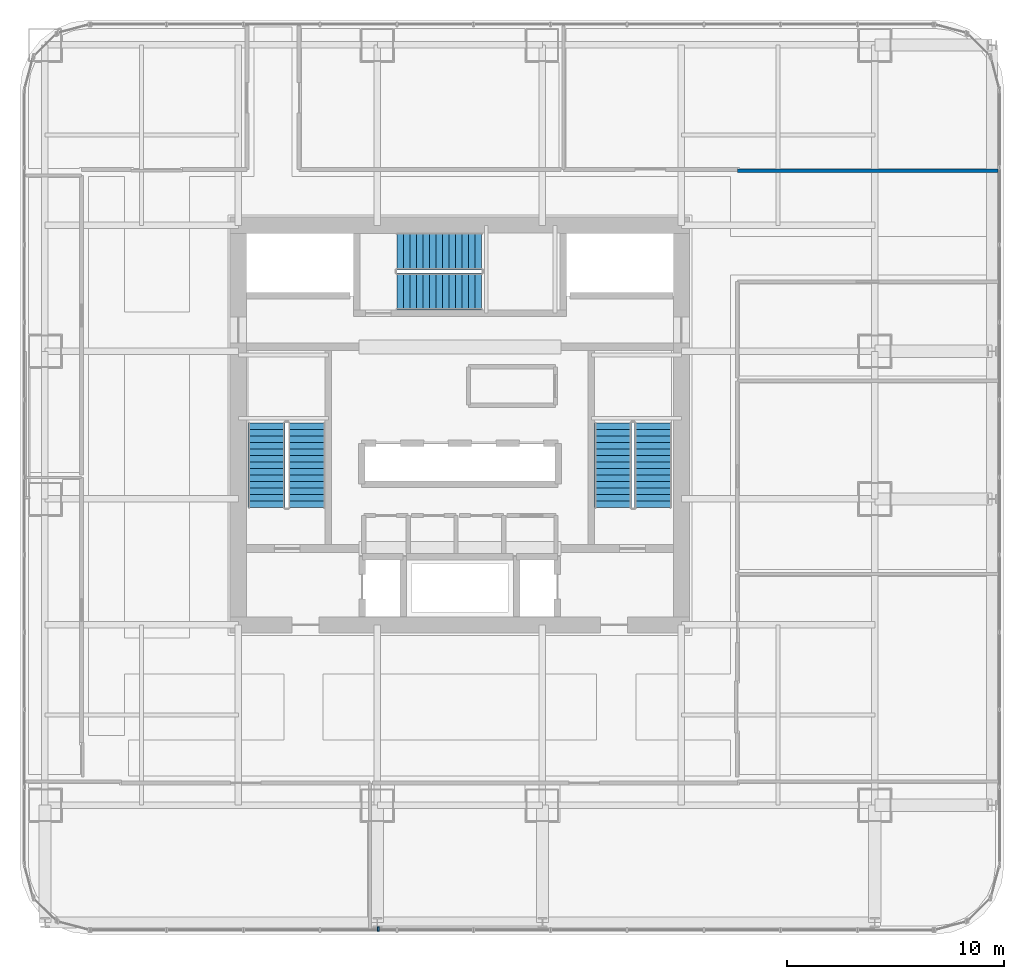
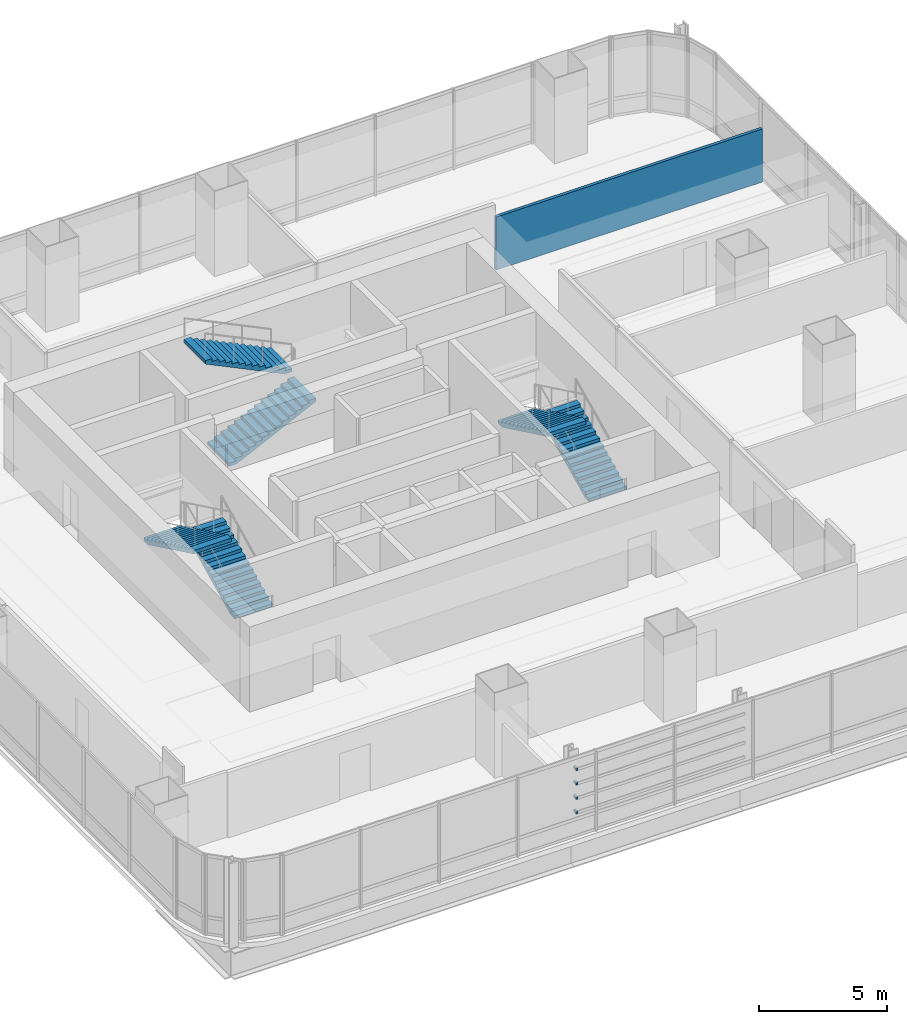
# One storey, part 29 of 35: 6 stair flights, 4 discrete accessories, 1 wall, 3 elements without a shape of their own.
"""IFC4 building model written with IfcOpenShell, lengths in metres."""

from ifc_helpers import new_model, si_unit, direction, frame, frame_2d, origin, origin_2d, place, context, subcontext, project, spatial, polyline, rectangle, outline, extrude, material, layer, layer_set, type_object, element, aggregate, save


model = new_model("IFC4")

# Units and contexts
model_context = context("Model", 3, precision=1e-05, world=origin(), true_north=direction((0.0, 1.0)))
body_context = subcontext(model_context, "Body", "Model", "MODEL_VIEW")
ifc_project = project(units=[si_unit("LENGTHUNIT", "METRE"), si_unit("AREAUNIT", "SQUARE_METRE"), si_unit("VOLUMEUNIT", "CUBIC_METRE"), si_unit("PLANEANGLEUNIT", "RADIAN"), si_unit("MASSUNIT", "GRAM", prefix="KILO")], contexts=[model_context])

# Site, building, storey
site_placement = place(None, origin())
site = spatial("IfcSite", under=ifc_project, at=site_placement, CompositionType="ELEMENT")
building_placement = place(site_placement, origin())
building = spatial("IfcBuilding", under=site, at=building_placement, Name="Punatoya Terracotta Tower", CompositionType="ELEMENT")
storey_placement = place(building_placement, frame((0.0, 0.0, 72.75)))
storey = spatial("IfcBuildingStorey", under=building, at=storey_placement, Name="L16", CompositionType="ELEMENT", Elevation=72.75)

# Wall
ifc_material_1 = material(Name="Acoustic Gypsum + Steel Stud", Category="steel")
ifc_layer = layer(ifc_material_1, 0.139892578125)
ifc_layer_set = layer_set([ifc_layer], Name="Acoustic Gypsum + Steel Stud")
wall_type = type_object("IfcWallType", Name="WL-OFF-140", PredefinedType="PARTITIONING", material=ifc_layer_set)
wall_placement = place(storey_placement, frame((24.77001953125, 11.7099609375, 0.0), z_axis=(0.0, 0.0, 1.0), x_axis=(-1.0, 0.0, 0.0)))
element("IfcWall", 1, at=wall_placement, inside=storey, type_object=wall_type, Name="L16 Open-Plan Symposium Colloquium Room Partition 37", PredefinedType="PARTITIONING", context=body_context, shape_type="SweptSolid", body=[
    extrude(rectangle(XDim=12.0, YDim=0.139892578125, at=frame_2d((6.0, 0.0))), origin(), (0.0, 0.0, 1.0), 2.52392578125),
])

# Stair, stair flights
ifc_material_2 = material(Name="Concrete C40/50", Category="concrete")
stair_type_1 = type_object("IfcStairType", Name="STR-CORE-1550", PredefinedType="HALF_TURN_STAIR", material=ifc_material_2)
stair_1_placement = place(storey_placement, origin())
stair_1 = element("IfcStair", 2, at=stair_1_placement, inside=storey, type_object=stair_type_1, Name="L16 Protected Core Exit Stair ST-1", PredefinedType="HALF_TURN_STAIR")
stair_flight_type_1 = type_object("IfcStairFlightType", Name="SFL-CORE-1550", PredefinedType="STRAIGHT", material=ifc_material_2)
stair_flight_1_placement = place(storey_placement, frame((-7.050048828125, -3.800048828125, 0.0), z_axis=(0.0, 0.0, 1.0), x_axis=(0.0, 1.0, 0.0)))
stair_flight_1 = element("IfcStairFlight", 3, at=stair_flight_1_placement, type_object=stair_flight_type_1, Name="ST-1 flight 1", NumberOfRisers=14, NumberOfTreads=13, PredefinedType="STRAIGHT", RiserHeight=0.144642857, TreadLength=0.3, context=body_context, shape_type="SweptSolid", body=[
    extrude(outline(polyline([(0.0, 0.0), (0.0, 0.14453125), (0.300048828125, 0.14453125), (0.300048828125, 0.289306640625), (0.60009765625, 0.289306640625), (0.60009765625, 0.433837890625), (0.89990234375, 0.433837890625), (0.89990234375, 0.57861328125), (1.199951171875, 0.57861328125), (1.199951171875, 0.72314453125), (1.5, 0.72314453125), (1.5, 0.867919921875), (1.800048828125, 0.867919921875), (1.800048828125, 1.012451171875), (2.10009765625, 1.012451171875), (2.10009765625, 1.1572265625), (2.39990234375, 1.1572265625), (2.39990234375, 1.3017578125), (2.699951171875, 1.3017578125), (2.699951171875, 1.446533203125), (3.0, 1.446533203125), (3.0, 1.591064453125), (3.300048828125, 1.591064453125), (3.300048828125, 1.735595703125), (3.60009765625, 1.735595703125), (3.60009765625, 1.88037109375), (3.89990234375, 1.88037109375), (3.89990234375, 2.02490234375), (3.89990234375, 1.7138671875), (0.34521484375, 0.0), (0.0, 0.0)])), frame((0.0, 0.85009765625, 0.0), z_axis=(0.0, -1.0, 0.0), x_axis=(1.0, 0.0, 0.0)), (0.0, 0.0, 1.0), 1.699951171875),
])
stair_flight_2_placement = place(storey_placement, frame((-8.89990234375, 0.10009765625, 2.02490234375), z_axis=(0.0, 0.0, 1.0), x_axis=(0.0, -1.0, 0.0)))
stair_flight_2 = element("IfcStairFlight", 4, at=stair_flight_2_placement, type_object=stair_flight_type_1, Name="ST-1 flight 2", NumberOfRisers=14, NumberOfTreads=13, PredefinedType="STRAIGHT", RiserHeight=0.144642857, TreadLength=0.3, context=body_context, shape_type="SweptSolid", body=[
    extrude(outline(polyline([(0.0, 0.0), (0.0, 0.14453125), (0.300048828125, 0.14453125), (0.300048828125, 0.289306640625), (0.60009765625, 0.289306640625), (0.60009765625, 0.433837890625), (0.89990234375, 0.433837890625), (0.89990234375, 0.57861328125), (1.199951171875, 0.57861328125), (1.199951171875, 0.72314453125), (1.5, 0.72314453125), (1.5, 0.867919921875), (1.800048828125, 0.867919921875), (1.800048828125, 1.012451171875), (2.10009765625, 1.012451171875), (2.10009765625, 1.1572265625), (2.39990234375, 1.1572265625), (2.39990234375, 1.3017578125), (2.699951171875, 1.3017578125), (2.699951171875, 1.446533203125), (3.0, 1.446533203125), (3.0, 1.591064453125), (3.300048828125, 1.591064453125), (3.300048828125, 1.735595703125), (3.60009765625, 1.735595703125), (3.60009765625, 1.88037109375), (3.89990234375, 1.88037109375), (3.89990234375, 2.02490234375), (3.89990234375, 1.7138671875), (0.34521484375, 0.0), (0.0, 0.0)])), frame((0.0, 0.85009765625, 0.0), z_axis=(0.0, -1.0, 0.0), x_axis=(1.0, 0.0, 0.0)), (0.0, 0.0, 1.0), 1.699951171875),
])
aggregate(stair_1, [stair_flight_1, stair_flight_2])

stair_type_2 = type_object("IfcStairType", Name="STR-LOB-1650", PredefinedType="HALF_TURN_STAIR", material=ifc_material_2)
stair_2_placement = place(storey_placement, origin())
stair_2 = element("IfcStair", 5, at=stair_2_placement, inside=storey, type_object=stair_type_2, Name="L16 Protected Core Exit Stair ST-2", PredefinedType="HALF_TURN_STAIR")
stair_flight_type_2 = type_object("IfcStairFlightType", Name="SFL-LOB-1650", PredefinedType="STRAIGHT", material=ifc_material_2)
stair_flight_3_placement = place(storey_placement, frame((8.89990234375, -3.800048828125, 0.0), z_axis=(0.0, 0.0, 1.0), x_axis=(0.0, 1.0, 0.0)))
stair_flight_3 = element("IfcStairFlight", 6, at=stair_flight_3_placement, type_object=stair_flight_type_2, Name="ST-2 flight 1", NumberOfRisers=14, NumberOfTreads=13, PredefinedType="STRAIGHT", RiserHeight=0.144642857, TreadLength=0.3, context=body_context, shape_type="SweptSolid", body=[
    extrude(outline(polyline([(0.0, 0.0), (0.0, 0.14453125), (0.300048828125, 0.14453125), (0.300048828125, 0.289306640625), (0.60009765625, 0.289306640625), (0.60009765625, 0.433837890625), (0.89990234375, 0.433837890625), (0.89990234375, 0.57861328125), (1.199951171875, 0.57861328125), (1.199951171875, 0.72314453125), (1.5, 0.72314453125), (1.5, 0.867919921875), (1.800048828125, 0.867919921875), (1.800048828125, 1.012451171875), (2.10009765625, 1.012451171875), (2.10009765625, 1.1572265625), (2.39990234375, 1.1572265625), (2.39990234375, 1.3017578125), (2.699951171875, 1.3017578125), (2.699951171875, 1.446533203125), (3.0, 1.446533203125), (3.0, 1.591064453125), (3.300048828125, 1.591064453125), (3.300048828125, 1.735595703125), (3.60009765625, 1.735595703125), (3.60009765625, 1.88037109375), (3.89990234375, 1.88037109375), (3.89990234375, 2.02490234375), (3.89990234375, 1.7138671875), (0.34521484375, 0.0), (0.0, 0.0)])), frame((0.0, 0.85009765625, 0.0), z_axis=(0.0, -1.0, 0.0), x_axis=(1.0, 0.0, 0.0)), (0.0, 0.0, 1.0), 1.699951171875),
])
stair_flight_4_placement = place(storey_placement, frame((7.050048828125, 0.10009765625, 2.02490234375), z_axis=(0.0, 0.0, 1.0), x_axis=(0.0, -1.0, 0.0)))
stair_flight_4 = element("IfcStairFlight", 7, at=stair_flight_4_placement, type_object=stair_flight_type_2, Name="ST-2 flight 2", NumberOfRisers=14, NumberOfTreads=13, PredefinedType="STRAIGHT", RiserHeight=0.144642857, TreadLength=0.3, context=body_context, shape_type="SweptSolid", body=[
    extrude(outline(polyline([(0.0, 0.0), (0.0, 0.14453125), (0.300048828125, 0.14453125), (0.300048828125, 0.289306640625), (0.60009765625, 0.289306640625), (0.60009765625, 0.433837890625), (0.89990234375, 0.433837890625), (0.89990234375, 0.57861328125), (1.199951171875, 0.57861328125), (1.199951171875, 0.72314453125), (1.5, 0.72314453125), (1.5, 0.867919921875), (1.800048828125, 0.867919921875), (1.800048828125, 1.012451171875), (2.10009765625, 1.012451171875), (2.10009765625, 1.1572265625), (2.39990234375, 1.1572265625), (2.39990234375, 1.3017578125), (2.699951171875, 1.3017578125), (2.699951171875, 1.446533203125), (3.0, 1.446533203125), (3.0, 1.591064453125), (3.300048828125, 1.591064453125), (3.300048828125, 1.735595703125), (3.60009765625, 1.735595703125), (3.60009765625, 1.88037109375), (3.89990234375, 1.88037109375), (3.89990234375, 2.02490234375), (3.89990234375, 1.7138671875), (0.34521484375, 0.0), (0.0, 0.0)])), frame((0.0, 0.85009765625, 0.0), z_axis=(0.0, -1.0, 0.0), x_axis=(1.0, 0.0, 0.0)), (0.0, 0.0, 1.0), 1.699951171875),
])
aggregate(stair_2, [stair_flight_3, stair_flight_4])

stair_type_3 = type_object("IfcStairType", Name="STR-TER-1450", PredefinedType="HALF_TURN_STAIR", material=ifc_material_2)
stair_3_placement = place(storey_placement, origin())
stair_3 = element("IfcStair", 8, at=stair_3_placement, inside=storey, type_object=stair_type_3, Name="L16 Protected Core Exit Stair ST-3", PredefinedType="HALF_TURN_STAIR")
stair_flight_type_3 = type_object("IfcStairFlightType", Name="SFL-TER-1450", PredefinedType="STRAIGHT", material=ifc_material_2)
stair_flight_5_placement = place(storey_placement, frame((-2.89990234375, 6.14990234375, 0.0), z_axis=(0.0, 0.0, 1.0), x_axis=(1.0, 0.0, 0.0)))
stair_flight_5 = element("IfcStairFlight", 9, at=stair_flight_5_placement, type_object=stair_flight_type_3, Name="ST-3 flight 1", NumberOfRisers=14, NumberOfTreads=13, PredefinedType="STRAIGHT", RiserHeight=0.144642857, TreadLength=0.3, context=body_context, shape_type="SweptSolid", body=[
    extrude(outline(polyline([(0.0, 0.0), (0.0, 0.14453125), (0.300048828125, 0.14453125), (0.300048828125, 0.289306640625), (0.60009765625, 0.289306640625), (0.60009765625, 0.433837890625), (0.89990234375, 0.433837890625), (0.89990234375, 0.57861328125), (1.199951171875, 0.57861328125), (1.199951171875, 0.72314453125), (1.5, 0.72314453125), (1.5, 0.867919921875), (1.800048828125, 0.867919921875), (1.800048828125, 1.012451171875), (2.10009765625, 1.012451171875), (2.10009765625, 1.1572265625), (2.39990234375, 1.1572265625), (2.39990234375, 1.3017578125), (2.699951171875, 1.3017578125), (2.699951171875, 1.446533203125), (3.0, 1.446533203125), (3.0, 1.591064453125), (3.300048828125, 1.591064453125), (3.300048828125, 1.735595703125), (3.60009765625, 1.735595703125), (3.60009765625, 1.88037109375), (3.89990234375, 1.88037109375), (3.89990234375, 2.02490234375), (3.89990234375, 1.7138671875), (0.34521484375, 0.0), (0.0, 0.0)])), frame((0.0, 0.85009765625, 0.0), z_axis=(0.0, -1.0, 0.0), x_axis=(1.0, 0.0, 0.0)), (0.0, 0.0, 1.0), 1.699951171875),
])
stair_flight_6_placement = place(storey_placement, frame((1.0, 8.0, 2.02490234375), z_axis=(0.0, 0.0, 1.0), x_axis=(-1.0, 0.0, 0.0)))
stair_flight_6 = element("IfcStairFlight", 10, at=stair_flight_6_placement, type_object=stair_flight_type_3, Name="ST-3 flight 2", NumberOfRisers=14, NumberOfTreads=13, PredefinedType="STRAIGHT", RiserHeight=0.144642857, TreadLength=0.3, context=body_context, shape_type="SweptSolid", body=[
    extrude(outline(polyline([(0.0, 0.0), (0.0, 0.14453125), (0.300048828125, 0.14453125), (0.300048828125, 0.289306640625), (0.60009765625, 0.289306640625), (0.60009765625, 0.433837890625), (0.89990234375, 0.433837890625), (0.89990234375, 0.57861328125), (1.199951171875, 0.57861328125), (1.199951171875, 0.72314453125), (1.5, 0.72314453125), (1.5, 0.867919921875), (1.800048828125, 0.867919921875), (1.800048828125, 1.012451171875), (2.10009765625, 1.012451171875), (2.10009765625, 1.1572265625), (2.39990234375, 1.1572265625), (2.39990234375, 1.3017578125), (2.699951171875, 1.3017578125), (2.699951171875, 1.446533203125), (3.0, 1.446533203125), (3.0, 1.591064453125), (3.300048828125, 1.591064453125), (3.300048828125, 1.735595703125), (3.60009765625, 1.735595703125), (3.60009765625, 1.88037109375), (3.89990234375, 1.88037109375), (3.89990234375, 2.02490234375), (3.89990234375, 1.7138671875), (0.34521484375, 0.0), (0.0, 0.0)])), frame((0.0, 0.85009765625, 0.0), z_axis=(0.0, -1.0, 0.0), x_axis=(1.0, 0.0, 0.0)), (0.0, 0.0, 1.0), 1.699951171875),
])
aggregate(stair_3, [stair_flight_5, stair_flight_6])

# Discrete accessories
ifc_material_3 = material(Name="Steel S355", Category="steel")
discrete_accessory_type = type_object("IfcDiscreteAccessoryType", Name="ACC-BRK-220", PredefinedType="BRACKET", material=ifc_material_3)
for number, where, z_axis, x_axis, name in (
    (11, (-3.75, -23.193115234375, 1.099853515625), (0.0, 0.0, 1.0), (1.0, 0.0, 0.0), "L16 Baguette Louvre Column Bracket BAG-L16-S-01"),
    (12, (-3.75, -23.193115234375, 1.78662109375), (0.0, 0.0, 1.0), (1.0, 0.0, 0.0), "L16 Baguette Louvre Column Bracket BAG-L16-S-02"),
    (13, (-3.75, -23.193115234375, 2.47314453125), (0.0, 0.0, 1.0), (1.0, 0.0, 0.0), "L16 Baguette Louvre Column Bracket BAG-L16-S-03"),
    (14, (-3.75, -23.193115234375, 3.159912109375), (0.0, 0.0, 1.0), (1.0, 0.0, 0.0), "L16 Baguette Louvre Column Bracket BAG-L16-S-04"),
):
    element("IfcDiscreteAccessory", number, at=place(storey_placement, frame(where, z_axis=z_axis, x_axis=x_axis)), inside=storey, type_object=discrete_accessory_type, Name=name, PredefinedType="BRACKET", context=body_context, shape_type="SweptSolid", body=[
        extrude(rectangle(XDim=0.090087890625, YDim=0.219970703125, at=origin_2d()), origin(), (0.0, 0.0, 1.0), 0.10009765625),
    ])

save(model, "model.ifc")
